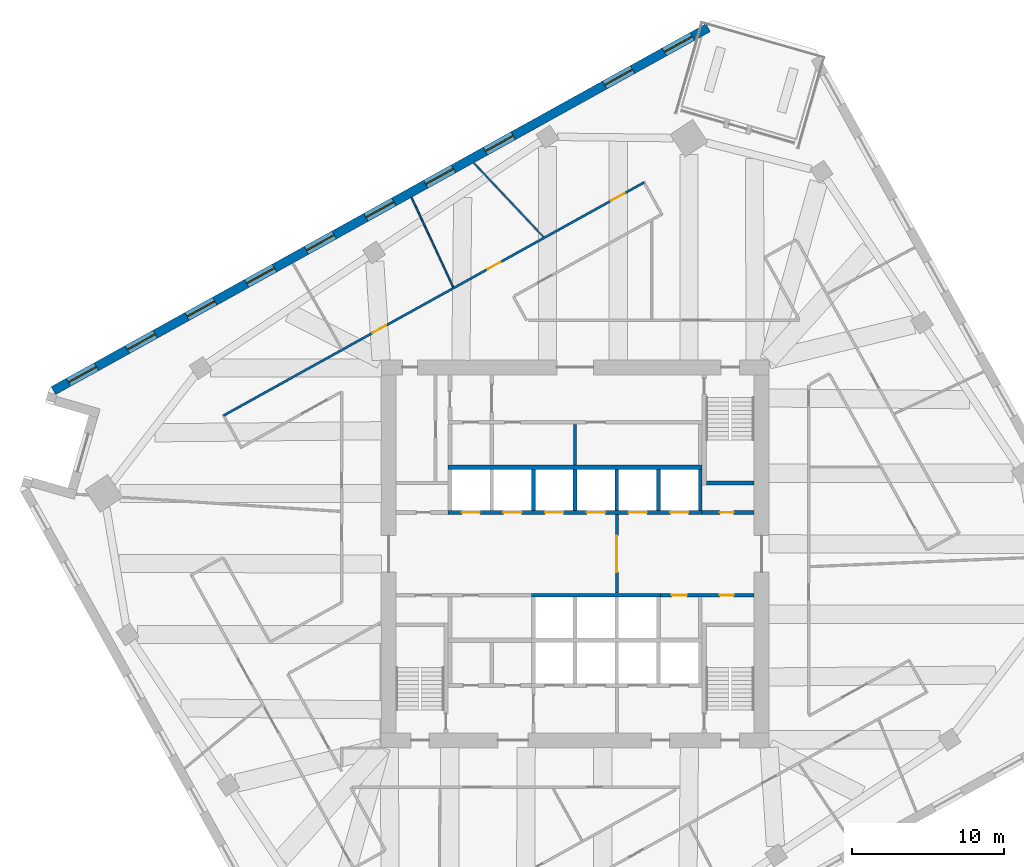
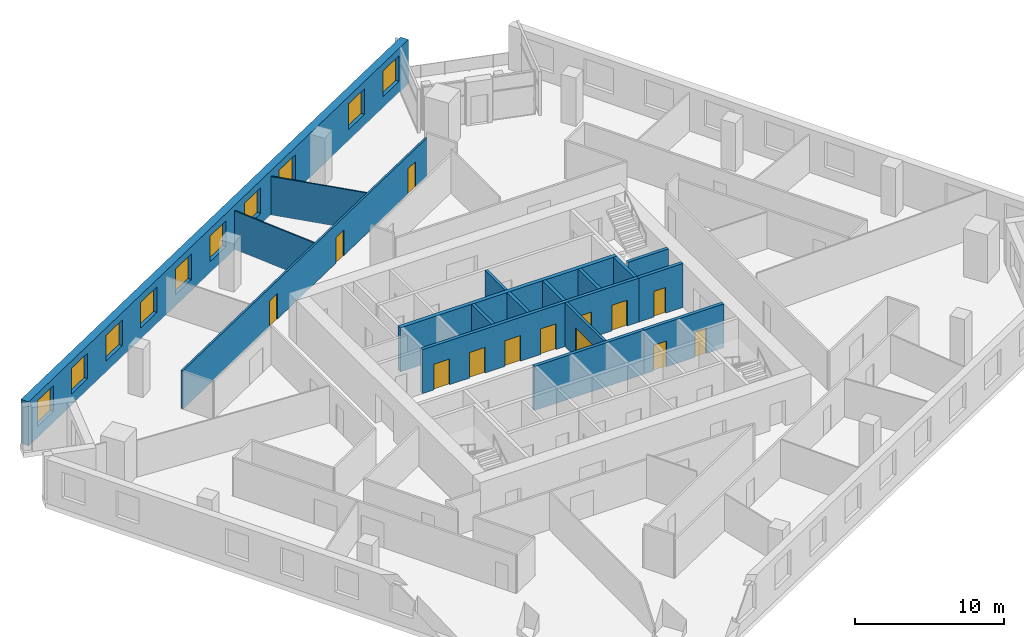
# One storey, part 8 of 12: 17 walls, 13 doors, 10 windows, 23 openings.
"""IFC4 building model written with IfcOpenShell, lengths in metres."""

from ifc_helpers import new_model, si_unit, direction, frame, frame_2d, origin, place, context, subcontext, project, spatial, rectangle, extrude, material, layer, layer_set, type_object, element, fill, save


model = new_model("IFC4")

# Units and contexts
model_context = context("Model", 3, precision=1e-05, world=origin(), true_north=direction((0.0, 1.0)))
body_context = subcontext(model_context, "Body", "Model", "MODEL_VIEW")
ifc_project = project(units=[si_unit("LENGTHUNIT", "METRE"), si_unit("AREAUNIT", "SQUARE_METRE"), si_unit("VOLUMEUNIT", "CUBIC_METRE"), si_unit("PLANEANGLEUNIT", "RADIAN"), si_unit("MASSUNIT", "GRAM", prefix="KILO")], contexts=[model_context])

# Site, building, storey
site_placement = place(None, origin())
site = spatial("IfcSite", under=ifc_project, at=site_placement, CompositionType="ELEMENT")
building_placement = place(site_placement, origin())
building = spatial("IfcBuilding", under=site, at=building_placement, Name="Dilmun Exchange Tower", CompositionType="ELEMENT")
storey_placement = place(building_placement, frame((0.0, 0.0, 139.699951171875)))
storey = spatial("IfcBuildingStorey", under=building, at=storey_placement, Name="L32", CompositionType="ELEMENT", Elevation=139.699951171875)

# Wall, opening, door
ifc_material_1 = material(Name="Concrete C40/50", Category="concrete")
ifc_layer_1 = layer(ifc_material_1, 0.199951171875)
ifc_layer_set_1 = layer_set([ifc_layer_1], Name="Concrete C40/50")
wall_type_1 = type_object("IfcWallType", Name="Core partition wall 200", PredefinedType="PARTITIONING", material=ifc_layer_set_1)
wall_1_placement = place(storey_placement, frame((2.75, -2.594970703125, 0.0), z_axis=(0.0, 0.0, 1.0), x_axis=(0.0, 1.0, 0.0)))
wall_1 = element("IfcWall", 1, at=wall_1_placement, inside=storey, type_object=wall_type_1, Name="L32 core partition wall 11", PredefinedType="PARTITIONING", context=body_context, shape_type="SweptSolid", body=[
    extrude(rectangle(XDim=5.18994140625, YDim=0.199951171875, at=frame_2d((2.594970703125, 0.0))), origin(), (0.0, 0.0, 1.0), 3.60009765625),
])
opening_1_placement = place(wall_1_placement, frame((1.39501953125, 0.0, 0.0)))
opening_1 = element("IfcOpeningElement", 2, at=opening_1_placement, cuts=wall_1, Name="Opening CD1", PredefinedType="OPENING", context=body_context, shape_type="SweptSolid", body=[
    extrude(rectangle(XDim=2.39990234375, YDim=2.39990234375, at=frame_2d((1.199951171875, 1.199951171875))), frame((0.0, 0.10986328125, 0.0), z_axis=(0.0, -1.0, 0.0), x_axis=(1.0, 0.0, 0.0)), (0.0, 0.0, 1.0), 0.219970703125),
])
ifc_material_2 = material(Name="Fire-rated steel door set", Category="steel")
door_type_1 = type_object("IfcDoorType", Name="Core lobby door 2400x2400", OperationType="DOUBLE_DOOR_DOUBLE_SWING", PredefinedType="DOOR", material=ifc_material_2)
door_1_placement = place(opening_1_placement, origin())
door_1 = element("IfcDoor", 3, at=door_1_placement, inside=storey, type_object=door_type_1, Name="L32 door Lift lobby east", OperationType="SINGLE_SWING_LEFT", OverallHeight=2.39990234375, OverallWidth=2.39990234375, PredefinedType="DOOR", context=body_context, shape_type="SweptSolid", body=[
    extrude(rectangle(XDim=2.39990234375, YDim=2.39990234375, at=frame_2d((1.199951171875, 1.199951171875))), frame((0.0, 0.02490234375, 0.0), z_axis=(0.0, -1.0, 0.0), x_axis=(1.0, 0.0, 0.0)), (0.0, 0.0, 1.0), 0.050048828125),
])
fill(opening_1, door_1)

# Wall
wall_2_placement = place(storey_placement, frame((0.0, 5.85498046875, 0.0), z_axis=(0.0, 0.0, 1.0), x_axis=(0.0, 1.0, 0.0)))
element("IfcWall", 4, at=wall_2_placement, inside=storey, type_object=wall_type_1, Name="L32 core partition wall 18", PredefinedType="PARTITIONING", context=body_context, shape_type="SweptSolid", body=[
    extrude(rectangle(XDim=2.68994140625, YDim=0.199951171875, at=frame_2d((1.344970703125, 0.0))), origin(), (0.0, 0.0, 1.0), 3.60009765625),
])

# Wall, openings, doors
ifc_layer_2 = layer(ifc_material_1, 0.25)
ifc_layer_set_2 = layer_set([ifc_layer_2], Name="Concrete C40/50")
wall_type_2 = type_object("IfcWallType", Name="Core partition wall 250", PredefinedType="PARTITIONING", material=ifc_layer_set_2)
wall_3_placement = place(storey_placement, frame((5.6298828125, -2.72509765625, 0.0), z_axis=(0.0, 0.0, 1.0), x_axis=(1.0, 0.0, 0.0)))
wall_3 = element("IfcWall", 5, at=wall_3_placement, inside=storey, type_object=wall_type_2, Name="L32 core partition wall 10", PredefinedType="PARTITIONING", context=body_context, shape_type="SweptSolid", body=[
    extrude(rectangle(XDim=6.1650390625, YDim=0.25, at=frame_2d((3.08251953125, 0.0))), origin(), (0.0, 0.0, 1.0), 3.60009765625),
])
opening_2_placement = place(wall_3_placement, frame((0.7451171875, 0.0, 0.0)))
opening_2 = element("IfcOpeningElement", 6, at=opening_2_placement, cuts=wall_3, Name="Opening CD4", PredefinedType="OPENING", context=body_context, shape_type="SweptSolid", body=[
    extrude(rectangle(XDim=1.0, YDim=2.10009765625, at=frame_2d((0.5, 1.050048828125))), frame((0.0, 0.135009765625, 0.0), z_axis=(0.0, -1.0, 0.0), x_axis=(1.0, 0.0, 0.0)), (0.0, 0.0, 1.0), 0.27001953125),
])
opening_3_placement = place(wall_3_placement, frame((3.919921875, 0.0, 0.0)))
opening_3 = element("IfcOpeningElement", 7, at=opening_3_placement, cuts=wall_3, Name="Opening CD6", PredefinedType="OPENING", context=body_context, shape_type="SweptSolid", body=[
    extrude(rectangle(XDim=0.89990234375, YDim=2.10009765625, at=frame_2d((0.449951171875, 1.050048828125))), frame((0.0, 0.135009765625, 0.0), z_axis=(0.0, -1.0, 0.0), x_axis=(1.0, 0.0, 0.0)), (0.0, 0.0, 1.0), 0.27001953125),
])
door_type_2 = type_object("IfcDoorType", Name="Core room door 1000x2100", OperationType="SINGLE_SWING_LEFT", PredefinedType="DOOR", material=ifc_material_2)
door_2_placement = place(opening_2_placement, origin())
door_2 = element("IfcDoor", 8, at=door_2_placement, inside=storey, type_object=door_type_2, Name="L32 door Cleaners' store", OperationType="SINGLE_SWING_LEFT", OverallHeight=2.10009765625, OverallWidth=1.0, PredefinedType="DOOR", context=body_context, shape_type="SweptSolid", body=[
    extrude(rectangle(XDim=1.0, YDim=2.10009765625, at=frame_2d((0.5, 1.050048828125))), frame((0.0, 0.02490234375, 0.0), z_axis=(0.0, -1.0, 0.0), x_axis=(1.0, 0.0, 0.0)), (0.0, 0.0, 1.0), 0.050048828125),
])
fill(opening_2, door_2)
door_type_3 = type_object("IfcDoorType", Name="Core room door 900x2100", OperationType="SINGLE_SWING_LEFT", PredefinedType="DOOR", material=ifc_material_2)
door_3_placement = place(opening_3_placement, origin())
door_3 = element("IfcDoor", 9, at=door_3_placement, inside=storey, type_object=door_type_3, Name="L32 door Comms riser", OperationType="SINGLE_SWING_LEFT", OverallHeight=2.10009765625, OverallWidth=0.89990234375, PredefinedType="DOOR", context=body_context, shape_type="SweptSolid", body=[
    extrude(rectangle(XDim=0.89990234375, YDim=2.10009765625, at=frame_2d((0.449951171875, 1.050048828125))), frame((0.0, 0.02490234375, 0.0), z_axis=(0.0, -1.0, 0.0), x_axis=(1.0, 0.0, 0.0)), (0.0, 0.0, 1.0), 0.050048828125),
])
fill(opening_3, door_3)

# Wall, opening, door
wall_4_placement = place(storey_placement, frame((8.3798828125, 2.72509765625, 0.0), z_axis=(0.0, 0.0, 1.0), x_axis=(1.0, 0.0, 0.0)))
wall_4 = element("IfcWall", 10, at=wall_4_placement, inside=storey, type_object=wall_type_2, Name="L32 core partition wall 13", PredefinedType="PARTITIONING", context=body_context, shape_type="SweptSolid", body=[
    extrude(rectangle(XDim=3.4150390625, YDim=0.25, at=frame_2d((1.70751953125, 0.0))), origin(), (0.0, 0.0, 1.0), 3.60009765625),
])
opening_4_placement = place(wall_4_placement, frame((1.169921875, 0.0, 0.0)))
opening_4 = element("IfcOpeningElement", 11, at=opening_4_placement, cuts=wall_4, Name="Opening CD6", PredefinedType="OPENING", context=body_context, shape_type="SweptSolid", body=[
    extrude(rectangle(XDim=0.89990234375, YDim=2.10009765625, at=frame_2d((0.449951171875, 1.050048828125))), frame((0.0, 0.135009765625, 0.0), z_axis=(0.0, -1.0, 0.0), x_axis=(1.0, 0.0, 0.0)), (0.0, 0.0, 1.0), 0.27001953125),
])
door_4_placement = place(opening_4_placement, origin())
door_4 = element("IfcDoor", 12, at=door_4_placement, inside=storey, type_object=door_type_3, Name="L32 door Electrical riser", OperationType="SINGLE_SWING_LEFT", OverallHeight=2.10009765625, OverallWidth=0.89990234375, PredefinedType="DOOR", context=body_context, shape_type="SweptSolid", body=[
    extrude(rectangle(XDim=0.89990234375, YDim=2.10009765625, at=frame_2d((0.449951171875, 1.050048828125))), frame((0.0, 0.02490234375, 0.0), z_axis=(0.0, -1.0, 0.0), x_axis=(1.0, 0.0, 0.0)), (0.0, 0.0, 1.0), 0.050048828125),
])
fill(opening_4, door_4)

# Wall, openings, doors
ifc_material_3 = material(Name="Corridor wall 150")
ifc_layer_3 = layer(ifc_material_3, 0.14990234375)
ifc_layer_set_3 = layer_set([ifc_layer_3], Name="Corridor wall 150")
wall_type_3 = type_object("IfcWallType", Name="Corridor wall 150", PredefinedType="PARTITIONING", material=ifc_layer_set_3)
wall_5_placement = place(storey_placement, frame((-23.18701171875, 9.123046875, 0.0), z_axis=(0.0, 0.0, 1.0), x_axis=(0.874618419846, 0.484811942578, 0.0)))
wall_5 = element("IfcWall", 13, at=wall_5_placement, inside=storey, type_object=wall_type_3, Name="Corridor wall", PredefinedType="PARTITIONING", context=body_context, shape_type="SweptSolid", body=[
    extrude(rectangle(XDim=31.71337890625, YDim=0.14990234375, at=frame_2d((15.856689453125, 0.0))), origin(), (0.0, 0.0, 1.0), 3.150146484375),
])
opening_5_placement = place(wall_5_placement, frame((11.25244140625, 0.0, 0.0)))
opening_5 = element("IfcOpeningElement", 14, at=opening_5_placement, cuts=wall_5, Name="Opening TF31-D08", PredefinedType="OPENING", context=body_context, shape_type="SweptSolid", body=[
    extrude(rectangle(XDim=1.0, YDim=2.10009765625, at=frame_2d((0.5, 1.050048828125))), frame((0.0, 0.0849609375, 0.0), z_axis=(0.0, -1.0, 0.0), x_axis=(1.0, 0.0, 0.0)), (0.0, 0.0, 1.0), 0.169921875),
])
opening_6_placement = place(wall_5_placement, frame((19.8955078125, 0.0, 0.0)))
opening_6 = element("IfcOpeningElement", 15, at=opening_6_placement, cuts=wall_5, Name="Opening TF31-D09", PredefinedType="OPENING", context=body_context, shape_type="SweptSolid", body=[
    extrude(rectangle(XDim=1.0, YDim=2.10009765625, at=frame_2d((0.5, 1.050048828125))), frame((0.0, 0.0849609375, 0.0), z_axis=(0.0, -1.0, 0.0), x_axis=(1.0, 0.0, 0.0)), (0.0, 0.0, 1.0), 0.169921875),
])
opening_7_placement = place(wall_5_placement, frame((29.222900390625, 0.0, 0.0)))
opening_7 = element("IfcOpeningElement", 16, at=opening_7_placement, cuts=wall_5, Name="Opening TF31-D16", PredefinedType="OPENING", context=body_context, shape_type="SweptSolid", body=[
    extrude(rectangle(XDim=1.0, YDim=2.10009765625, at=frame_2d((0.5, 1.050048828125))), frame((0.0, 0.0849609375, 0.0), z_axis=(0.0, -1.0, 0.0), x_axis=(1.0, 0.0, 0.0)), (0.0, 0.0, 1.0), 0.169921875),
])
ifc_material_4 = material(Name="Fire door 1000 x 2100")
door_type_4 = type_object("IfcDoorType", Name="Fire door 1000 x 2100", OperationType="NOTDEFINED", PredefinedType="DOOR", material=ifc_material_4)
door_5_placement = place(opening_5_placement, origin())
door_5 = element("IfcDoor", 17, at=door_5_placement, inside=storey, type_object=door_type_4, Name="Door TF31-D08", OperationType="SINGLE_SWING_RIGHT", OverallHeight=2.10009765625, OverallWidth=1.0, PredefinedType="DOOR", context=body_context, shape_type="SweptSolid", body=[
    extrude(rectangle(XDim=1.0, YDim=2.10009765625, at=frame_2d((0.5, 1.050048828125))), frame((0.0, 0.02490234375, 0.0), z_axis=(0.0, -1.0, 0.0), x_axis=(1.0, 0.0, 0.0)), (0.0, 0.0, 1.0), 0.050048828125),
])
fill(opening_5, door_5)
door_6_placement = place(opening_6_placement, origin())
door_6 = element("IfcDoor", 18, at=door_6_placement, inside=storey, type_object=door_type_4, Name="Door TF31-D09", OperationType="SINGLE_SWING_LEFT", OverallHeight=2.10009765625, OverallWidth=1.0, PredefinedType="DOOR", context=body_context, shape_type="SweptSolid", body=[
    extrude(rectangle(XDim=1.0, YDim=2.10009765625, at=frame_2d((0.5, 1.050048828125))), frame((0.0, 0.02490234375, 0.0), z_axis=(0.0, -1.0, 0.0), x_axis=(1.0, 0.0, 0.0)), (0.0, 0.0, 1.0), 0.050048828125),
])
fill(opening_6, door_6)
door_7_placement = place(opening_7_placement, origin())
door_7 = element("IfcDoor", 19, at=door_7_placement, inside=storey, type_object=door_type_4, Name="Door TF31-D16", OperationType="SINGLE_SWING_LEFT", OverallHeight=2.10009765625, OverallWidth=1.0, PredefinedType="DOOR", context=body_context, shape_type="SweptSolid", body=[
    extrude(rectangle(XDim=1.0, YDim=2.10009765625, at=frame_2d((0.5, 1.050048828125))), frame((0.0, 0.02490234375, 0.0), z_axis=(0.0, -1.0, 0.0), x_axis=(1.0, 0.0, 0.0)), (0.0, 0.0, 1.0), 0.050048828125),
])
fill(opening_7, door_7)

# Wall
ifc_layer_4 = layer(ifc_material_1, 0.300048828125)
ifc_layer_set_4 = layer_set([ifc_layer_4], Name="Concrete C40/50")
wall_type_4 = type_object("IfcWallType", Name="Lift shaft shared wall 300", PredefinedType="SOLIDWALL", material=ifc_layer_set_4)
wall_6_placement = place(storey_placement, frame((-8.375, 5.699951171875, 0.0), z_axis=(0.0, 0.0, 1.0), x_axis=(1.0, 0.0, 0.0)))
element("IfcWall", 20, at=wall_6_placement, inside=storey, type_object=wall_type_4, Name="L32 lift shaft rear wall N", PredefinedType="SOLIDWALL", context=body_context, shape_type="SweptSolid", body=[
    extrude(rectangle(XDim=16.75, YDim=0.300048828125, at=frame_2d((8.375, 0.0))), origin(), (0.0, 0.0, 1.0), 3.60009765625),
])

# Wall, openings, doors
ifc_layer_5 = layer(ifc_material_1, 0.25)
ifc_layer_set_5 = layer_set([ifc_layer_5], Name="Concrete C40/50")
wall_type_5 = type_object("IfcWallType", Name="Lift shaft wall 250", PredefinedType="SOLIDWALL", material=ifc_layer_set_5)
wall_7_placement = place(storey_placement, frame((-8.375, 2.72509765625, 0.0), z_axis=(0.0, 0.0, 1.0), x_axis=(1.0, 0.0, 0.0)))
wall_7 = element("IfcWall", 21, at=wall_7_placement, inside=storey, type_object=wall_type_5, Name="L32 lift shaft front wall N1", PredefinedType="SOLIDWALL", context=body_context, shape_type="SweptSolid", body=[
    extrude(rectangle(XDim=16.75, YDim=0.25, at=frame_2d((8.375, 0.0))), origin(), (0.0, 0.0, 1.0), 3.60009765625),
])
opening_8_placement = place(wall_7_placement, frame((0.89990234375, 0.0, 0.0)))
opening_8 = element("IfcOpeningElement", 22, at=opening_8_placement, cuts=wall_7, Name="Opening LD", PredefinedType="OPENING", context=body_context, shape_type="SweptSolid", body=[
    extrude(rectangle(XDim=1.199951171875, YDim=2.10009765625, at=frame_2d((0.60009765625, 1.050048828125))), frame((0.0, 0.135009765625, 0.0), z_axis=(0.0, -1.0, 0.0), x_axis=(1.0, 0.0, 0.0)), (0.0, 0.0, 1.0), 0.27001953125),
])
opening_9_placement = place(wall_7_placement, frame((3.64990234375, 0.0, 0.0)))
opening_9 = element("IfcOpeningElement", 23, at=opening_9_placement, cuts=wall_7, Name="Opening LD", PredefinedType="OPENING", context=body_context, shape_type="SweptSolid", body=[
    extrude(rectangle(XDim=1.199951171875, YDim=2.10009765625, at=frame_2d((0.60009765625, 1.050048828125))), frame((0.0, 0.135009765625, 0.0), z_axis=(0.0, -1.0, 0.0), x_axis=(1.0, 0.0, 0.0)), (0.0, 0.0, 1.0), 0.27001953125),
])
opening_10_placement = place(wall_7_placement, frame((6.39990234375, 0.0, 0.0)))
opening_10 = element("IfcOpeningElement", 24, at=opening_10_placement, cuts=wall_7, Name="Opening LD", PredefinedType="OPENING", context=body_context, shape_type="SweptSolid", body=[
    extrude(rectangle(XDim=1.199951171875, YDim=2.10009765625, at=frame_2d((0.60009765625, 1.050048828125))), frame((0.0, 0.135009765625, 0.0), z_axis=(0.0, -1.0, 0.0), x_axis=(1.0, 0.0, 0.0)), (0.0, 0.0, 1.0), 0.27001953125),
])
opening_11_placement = place(wall_7_placement, frame((9.14990234375, 0.0, 0.0)))
opening_11 = element("IfcOpeningElement", 25, at=opening_11_placement, cuts=wall_7, Name="Opening LD", PredefinedType="OPENING", context=body_context, shape_type="SweptSolid", body=[
    extrude(rectangle(XDim=1.199951171875, YDim=2.10009765625, at=frame_2d((0.60009765625, 1.050048828125))), frame((0.0, 0.135009765625, 0.0), z_axis=(0.0, -1.0, 0.0), x_axis=(1.0, 0.0, 0.0)), (0.0, 0.0, 1.0), 0.27001953125),
])
opening_12_placement = place(wall_7_placement, frame((11.89990234375, 0.0, 0.0)))
opening_12 = element("IfcOpeningElement", 26, at=opening_12_placement, cuts=wall_7, Name="Opening LD", PredefinedType="OPENING", context=body_context, shape_type="SweptSolid", body=[
    extrude(rectangle(XDim=1.199951171875, YDim=2.10009765625, at=frame_2d((0.60009765625, 1.050048828125))), frame((0.0, 0.135009765625, 0.0), z_axis=(0.0, -1.0, 0.0), x_axis=(1.0, 0.0, 0.0)), (0.0, 0.0, 1.0), 0.27001953125),
])
opening_13_placement = place(wall_7_placement, frame((14.64990234375, 0.0, 0.0)))
opening_13 = element("IfcOpeningElement", 27, at=opening_13_placement, cuts=wall_7, Name="Opening LD", PredefinedType="OPENING", context=body_context, shape_type="SweptSolid", body=[
    extrude(rectangle(XDim=1.199951171875, YDim=2.10009765625, at=frame_2d((0.60009765625, 1.050048828125))), frame((0.0, 0.135009765625, 0.0), z_axis=(0.0, -1.0, 0.0), x_axis=(1.0, 0.0, 0.0)), (0.0, 0.0, 1.0), 0.27001953125),
])
door_type_5 = type_object("IfcDoorType", Name="Lift landing door 1200x2100", OperationType="DOUBLE_DOOR_SLIDING", PredefinedType="DOOR", material=ifc_material_2)
door_8_placement = place(opening_8_placement, origin())
door_8 = element("IfcDoor", 28, at=door_8_placement, inside=storey, type_object=door_type_5, Name="L32 landing door MR1", OperationType="DOUBLE_DOOR_SLIDING", OverallHeight=2.10009765625, OverallWidth=1.199951171875, PredefinedType="DOOR", context=body_context, shape_type="SweptSolid", body=[
    extrude(rectangle(XDim=1.199951171875, YDim=2.10009765625, at=frame_2d((0.60009765625, 1.050048828125))), frame((0.0, 0.02490234375, 0.0), z_axis=(0.0, -1.0, 0.0), x_axis=(1.0, 0.0, 0.0)), (0.0, 0.0, 1.0), 0.050048828125),
])
fill(opening_8, door_8)
door_9_placement = place(opening_9_placement, origin())
door_9 = element("IfcDoor", 29, at=door_9_placement, inside=storey, type_object=door_type_5, Name="L32 landing door MR2", OperationType="DOUBLE_DOOR_SLIDING", OverallHeight=2.10009765625, OverallWidth=1.199951171875, PredefinedType="DOOR", context=body_context, shape_type="SweptSolid", body=[
    extrude(rectangle(XDim=1.199951171875, YDim=2.10009765625, at=frame_2d((0.60009765625, 1.050048828125))), frame((0.0, 0.02490234375, 0.0), z_axis=(0.0, -1.0, 0.0), x_axis=(1.0, 0.0, 0.0)), (0.0, 0.0, 1.0), 0.050048828125),
])
fill(opening_9, door_9)
door_10_placement = place(opening_10_placement, origin())
door_10 = element("IfcDoor", 30, at=door_10_placement, inside=storey, type_object=door_type_5, Name="L32 landing door MR3", OperationType="DOUBLE_DOOR_SLIDING", OverallHeight=2.10009765625, OverallWidth=1.199951171875, PredefinedType="DOOR", context=body_context, shape_type="SweptSolid", body=[
    extrude(rectangle(XDim=1.199951171875, YDim=2.10009765625, at=frame_2d((0.60009765625, 1.050048828125))), frame((0.0, 0.02490234375, 0.0), z_axis=(0.0, -1.0, 0.0), x_axis=(1.0, 0.0, 0.0)), (0.0, 0.0, 1.0), 0.050048828125),
])
fill(opening_10, door_10)
door_11_placement = place(opening_11_placement, origin())
door_11 = element("IfcDoor", 31, at=door_11_placement, inside=storey, type_object=door_type_5, Name="L32 landing door MR4", OperationType="DOUBLE_DOOR_SLIDING", OverallHeight=2.10009765625, OverallWidth=1.199951171875, PredefinedType="DOOR", context=body_context, shape_type="SweptSolid", body=[
    extrude(rectangle(XDim=1.199951171875, YDim=2.10009765625, at=frame_2d((0.60009765625, 1.050048828125))), frame((0.0, 0.02490234375, 0.0), z_axis=(0.0, -1.0, 0.0), x_axis=(1.0, 0.0, 0.0)), (0.0, 0.0, 1.0), 0.050048828125),
])
fill(opening_11, door_11)
door_12_placement = place(opening_12_placement, origin())
door_12 = element("IfcDoor", 32, at=door_12_placement, inside=storey, type_object=door_type_5, Name="L32 landing door MR5", OperationType="DOUBLE_DOOR_SLIDING", OverallHeight=2.10009765625, OverallWidth=1.199951171875, PredefinedType="DOOR", context=body_context, shape_type="SweptSolid", body=[
    extrude(rectangle(XDim=1.199951171875, YDim=2.10009765625, at=frame_2d((0.60009765625, 1.050048828125))), frame((0.0, 0.02490234375, 0.0), z_axis=(0.0, -1.0, 0.0), x_axis=(1.0, 0.0, 0.0)), (0.0, 0.0, 1.0), 0.050048828125),
])
fill(opening_12, door_12)
door_13_placement = place(opening_13_placement, origin())
door_13 = element("IfcDoor", 33, at=door_13_placement, inside=storey, type_object=door_type_5, Name="L32 landing door MR6", OperationType="DOUBLE_DOOR_SLIDING", OverallHeight=2.10009765625, OverallWidth=1.199951171875, PredefinedType="DOOR", context=body_context, shape_type="SweptSolid", body=[
    extrude(rectangle(XDim=1.199951171875, YDim=2.10009765625, at=frame_2d((0.60009765625, 1.050048828125))), frame((0.0, 0.02490234375, 0.0), z_axis=(0.0, -1.0, 0.0), x_axis=(1.0, 0.0, 0.0)), (0.0, 0.0, 1.0), 0.050048828125),
])
fill(opening_13, door_13)

# Walls
for number, where, z_axis, x_axis, name in (
    (34, (-2.75, 2.85009765625, 0.0), (0.0, 0.0, 1.0), (0.0, 1.0, 0.0), "L32 lift shaft divider N12"),
    (35, (0.0, 2.85009765625, 0.0), (0.0, 0.0, 1.0), (0.0, 1.0, 0.0), "L32 lift shaft divider N13"),
    (36, (2.75, 2.85009765625, 0.0), (0.0, 0.0, 1.0), (0.0, 1.0, 0.0), "L32 lift shaft divider N14"),
    (37, (5.5, 2.85009765625, 0.0), (0.0, 0.0, 1.0), (0.0, 1.0, 0.0), "L32 lift shaft divider N15"),
    (38, (8.25, 2.85009765625, 0.0), (0.0, 0.0, 1.0), (0.0, 1.0, 0.0), "L32 lift shaft divider N16"),
):
    element("IfcWall", number, at=place(storey_placement, frame(where, z_axis=z_axis, x_axis=x_axis)), inside=storey, type_object=wall_type_5, Name=name, PredefinedType="SOLIDWALL", context=body_context, shape_type="SweptSolid", body=[
        extrude(rectangle(XDim=2.699951171875, YDim=0.25, at=frame_2d((1.35009765625, 0.0))), origin(), (0.0, 0.0, 1.0), 3.60009765625),
    ])
wall_8_placement = place(storey_placement, frame((-2.875, -2.72509765625, 0.0), z_axis=(0.0, 0.0, 1.0), x_axis=(1.0, 0.0, 0.0)))
element("IfcWall", 39, at=wall_8_placement, inside=storey, type_object=wall_type_5, Name="L32 lift shaft front wall S1", PredefinedType="SOLIDWALL", context=body_context, shape_type="SweptSolid", body=[
    extrude(rectangle(XDim=8.5, YDim=0.25, at=frame_2d((4.25, 0.0))), origin(), (0.0, 0.0, 1.0), 3.60009765625),
])
ifc_material_5 = material(Name="Partition 100")
ifc_layer_6 = layer(ifc_material_5, 0.10009765625)
ifc_layer_set_6 = layer_set([ifc_layer_6], Name="Partition 100")
wall_type_6 = type_object("IfcWallType", Name="Partition 100", PredefinedType="PARTITIONING", material=ifc_layer_set_6)
wall_9_placement = place(storey_placement, frame((-10.794677734375, 23.5126953125, 0.0), z_axis=(0.0, 0.0, 1.0), x_axis=(0.42134027537, -0.906902625617, 0.0)))
element("IfcWall", 40, at=wall_9_placement, inside=storey, type_object=wall_type_6, Name="Partition", PredefinedType="PARTITIONING", context=body_context, shape_type="SweptSolid", body=[
    extrude(rectangle(XDim=6.515869140625, YDim=0.10009765625, at=frame_2d((3.2578125, 0.0))), origin(), (0.0, 0.0, 1.0), 3.150146484375),
])
wall_10_placement = place(storey_placement, frame((-6.690673828125, 25.78759765625, 0.0), z_axis=(0.0, 0.0, 1.0), x_axis=(0.685723912774, -0.727861741988, 0.0)))
element("IfcWall", 41, at=wall_10_placement, inside=storey, type_object=wall_type_6, Name="Partition", PredefinedType="PARTITIONING", context=body_context, shape_type="SweptSolid", body=[
    extrude(rectangle(XDim=6.69775390625, YDim=0.10009765625, at=frame_2d((3.348876953125, 0.0))), origin(), (0.0, 0.0, 1.0), 3.150146484375),
])

# Wall, openings, windows
ifc_material_6 = material(Name="Precast concrete C50/60", Category="concrete")
ifc_layer_7 = layer(ifc_material_6, 0.60009765625)
ifc_layer_set_7 = layer_set([ifc_layer_7], Name="Precast concrete C50/60")
wall_type_7 = type_object("IfcWallType", Name="Precast stone-clad wall 600", PredefinedType="STANDARD", material=ifc_layer_set_7)
wall_11_placement = place(storey_placement, frame((8.774658203125, 34.705322265625, 0.0), z_axis=(0.0, 0.0, 1.0), x_axis=(-0.874620778241, -0.484807687922, 0.0)))
wall_11 = element("IfcWall", 42, at=wall_11_placement, inside=storey, type_object=wall_type_7, Name="Facade wall L32-03", PredefinedType="STANDARD", context=body_context, shape_type="SweptSolid", body=[
    extrude(rectangle(XDim=49.375732421875, YDim=0.60009765625, at=frame_2d((24.68798828125, 0.0))), origin(), (0.0, 0.0, 1.0), 3.60009765625),
])
opening_14_placement = place(wall_11_placement, frame((1.199951171875, 0.0, 0.89990234375)))
opening_14 = element("IfcOpeningElement", 43, at=opening_14_placement, cuts=wall_11, Name="Opening W210-210", PredefinedType="OPENING", context=body_context, shape_type="SweptSolid", body=[
    extrude(rectangle(XDim=2.10009765625, YDim=2.10009765625, at=frame_2d((1.050048828125, 1.050048828125))), frame((0.0, 0.31005859375, 0.0), z_axis=(0.0, -1.0, 0.0), x_axis=(1.0, 0.0, 0.0)), (0.0, 0.0, 1.0), 0.6201171875),
])
opening_15_placement = place(wall_11_placement, frame((5.699951171875, 0.0, 0.89990234375)))
opening_15 = element("IfcOpeningElement", 44, at=opening_15_placement, cuts=wall_11, Name="Opening W210-210", PredefinedType="OPENING", context=body_context, shape_type="SweptSolid", body=[
    extrude(rectangle(XDim=2.10009765625, YDim=2.10009765625, at=frame_2d((1.050048828125, 1.050048828125))), frame((0.0, 0.31005859375, 0.0), z_axis=(0.0, -1.0, 0.0), x_axis=(1.0, 0.0, 0.0)), (0.0, 0.0, 1.0), 0.6201171875),
])
opening_16_placement = place(wall_11_placement, frame((14.699951171875, 0.0, 0.89990234375)))
opening_16 = element("IfcOpeningElement", 45, at=opening_16_placement, cuts=wall_11, Name="Opening W210-210", PredefinedType="OPENING", context=body_context, shape_type="SweptSolid", body=[
    extrude(rectangle(XDim=2.10009765625, YDim=2.10009765625, at=frame_2d((1.050048828125, 1.050048828125))), frame((0.0, 0.31005859375, 0.0), z_axis=(0.0, -1.0, 0.0), x_axis=(1.0, 0.0, 0.0)), (0.0, 0.0, 1.0), 0.6201171875),
])
opening_17_placement = place(wall_11_placement, frame((19.199951171875, 0.0, 0.89990234375)))
opening_17 = element("IfcOpeningElement", 46, at=opening_17_placement, cuts=wall_11, Name="Opening W210-210", PredefinedType="OPENING", context=body_context, shape_type="SweptSolid", body=[
    extrude(rectangle(XDim=2.10009765625, YDim=2.10009765625, at=frame_2d((1.050048828125, 1.050048828125))), frame((0.0, 0.31005859375, 0.0), z_axis=(0.0, -1.0, 0.0), x_axis=(1.0, 0.0, 0.0)), (0.0, 0.0, 1.0), 0.6201171875),
])
opening_18_placement = place(wall_11_placement, frame((23.699951171875, 0.0, 0.89990234375)))
opening_18 = element("IfcOpeningElement", 47, at=opening_18_placement, cuts=wall_11, Name="Opening W210-210", PredefinedType="OPENING", context=body_context, shape_type="SweptSolid", body=[
    extrude(rectangle(XDim=2.10009765625, YDim=2.10009765625, at=frame_2d((1.050048828125, 1.050048828125))), frame((0.0, 0.31005859375, 0.0), z_axis=(0.0, -1.0, 0.0), x_axis=(1.0, 0.0, 0.0)), (0.0, 0.0, 1.0), 0.6201171875),
])
opening_19_placement = place(wall_11_placement, frame((28.199951171875, 0.0, 0.89990234375)))
opening_19 = element("IfcOpeningElement", 48, at=opening_19_placement, cuts=wall_11, Name="Opening W210-210", PredefinedType="OPENING", context=body_context, shape_type="SweptSolid", body=[
    extrude(rectangle(XDim=2.10009765625, YDim=2.10009765625, at=frame_2d((1.050048828125, 1.050048828125))), frame((0.0, 0.31005859375, 0.0), z_axis=(0.0, -1.0, 0.0), x_axis=(1.0, 0.0, 0.0)), (0.0, 0.0, 1.0), 0.6201171875),
])
opening_20_placement = place(wall_11_placement, frame((32.699951171875, 0.0, 0.89990234375)))
opening_20 = element("IfcOpeningElement", 49, at=opening_20_placement, cuts=wall_11, Name="Opening W210-210", PredefinedType="OPENING", context=body_context, shape_type="SweptSolid", body=[
    extrude(rectangle(XDim=2.10009765625, YDim=2.10009765625, at=frame_2d((1.050048828125, 1.050048828125))), frame((0.0, 0.31005859375, 0.0), z_axis=(0.0, -1.0, 0.0), x_axis=(1.0, 0.0, 0.0)), (0.0, 0.0, 1.0), 0.6201171875),
])
opening_21_placement = place(wall_11_placement, frame((37.199951171875, 0.0, 0.89990234375)))
opening_21 = element("IfcOpeningElement", 50, at=opening_21_placement, cuts=wall_11, Name="Opening W210-210", PredefinedType="OPENING", context=body_context, shape_type="SweptSolid", body=[
    extrude(rectangle(XDim=2.10009765625, YDim=2.10009765625, at=frame_2d((1.050048828125, 1.050048828125))), frame((0.0, 0.31005859375, 0.0), z_axis=(0.0, -1.0, 0.0), x_axis=(1.0, 0.0, 0.0)), (0.0, 0.0, 1.0), 0.6201171875),
])
opening_22_placement = place(wall_11_placement, frame((41.699951171875, 0.0, 0.89990234375)))
opening_22 = element("IfcOpeningElement", 51, at=opening_22_placement, cuts=wall_11, Name="Opening W210-210", PredefinedType="OPENING", context=body_context, shape_type="SweptSolid", body=[
    extrude(rectangle(XDim=2.10009765625, YDim=2.10009765625, at=frame_2d((1.050048828125, 1.050048828125))), frame((0.0, 0.31005859375, 0.0), z_axis=(0.0, -1.0, 0.0), x_axis=(1.0, 0.0, 0.0)), (0.0, 0.0, 1.0), 0.6201171875),
])
opening_23_placement = place(wall_11_placement, frame((46.137939453125, 0.0, 0.89990234375)))
opening_23 = element("IfcOpeningElement", 52, at=opening_23_placement, cuts=wall_11, Name="Opening W210-210", PredefinedType="OPENING", context=body_context, shape_type="SweptSolid", body=[
    extrude(rectangle(XDim=2.10009765625, YDim=2.10009765625, at=frame_2d((1.050048828125, 1.050048828125))), frame((0.0, 0.31005859375, 0.0), z_axis=(0.0, -1.0, 0.0), x_axis=(1.0, 0.0, 0.0)), (0.0, 0.0, 1.0), 0.6201171875),
])
ifc_material_7 = material(Name="Clear low-emissivity glass in aluminium frame", Category="aluminium")
window_type = type_object("IfcWindowType", Name="Punched window 2100 x 2100", PartitioningType="DOUBLE_PANEL_VERTICAL", PredefinedType="WINDOW", material=ifc_material_7)
window_1_placement = place(opening_14_placement, origin())
window_1 = element("IfcWindow", 53, at=window_1_placement, inside=storey, type_object=window_type, Name="Window 4.1", OverallHeight=2.10009765625, OverallWidth=2.10009765625, PartitioningType="SINGLE_PANEL", PredefinedType="WINDOW", context=body_context, shape_type="SweptSolid", body=[
    extrude(rectangle(XDim=2.10009765625, YDim=2.10009765625, at=frame_2d((1.050048828125, 1.050048828125))), frame((0.0, 0.030029296875, 0.0), z_axis=(0.0, -1.0, 0.0), x_axis=(1.0, 0.0, 0.0)), (0.0, 0.0, 1.0), 0.06005859375),
])
fill(opening_14, window_1)
window_2_placement = place(opening_15_placement, origin())
window_2 = element("IfcWindow", 54, at=window_2_placement, inside=storey, type_object=window_type, Name="Window 4.2", OverallHeight=2.10009765625, OverallWidth=2.10009765625, PartitioningType="SINGLE_PANEL", PredefinedType="WINDOW", context=body_context, shape_type="SweptSolid", body=[
    extrude(rectangle(XDim=2.10009765625, YDim=2.10009765625, at=frame_2d((1.050048828125, 1.050048828125))), frame((0.0, 0.030029296875, 0.0), z_axis=(0.0, -1.0, 0.0), x_axis=(1.0, 0.0, 0.0)), (0.0, 0.0, 1.0), 0.06005859375),
])
fill(opening_15, window_2)
window_3_placement = place(opening_16_placement, origin())
window_3 = element("IfcWindow", 55, at=window_3_placement, inside=storey, type_object=window_type, Name="Window 4.4", OverallHeight=2.10009765625, OverallWidth=2.10009765625, PartitioningType="SINGLE_PANEL", PredefinedType="WINDOW", context=body_context, shape_type="SweptSolid", body=[
    extrude(rectangle(XDim=2.10009765625, YDim=2.10009765625, at=frame_2d((1.050048828125, 1.050048828125))), frame((0.0, 0.030029296875, 0.0), z_axis=(0.0, -1.0, 0.0), x_axis=(1.0, 0.0, 0.0)), (0.0, 0.0, 1.0), 0.06005859375),
])
fill(opening_16, window_3)
window_4_placement = place(opening_17_placement, origin())
window_4 = element("IfcWindow", 56, at=window_4_placement, inside=storey, type_object=window_type, Name="Window 4.5", OverallHeight=2.10009765625, OverallWidth=2.10009765625, PartitioningType="SINGLE_PANEL", PredefinedType="WINDOW", context=body_context, shape_type="SweptSolid", body=[
    extrude(rectangle(XDim=2.10009765625, YDim=2.10009765625, at=frame_2d((1.050048828125, 1.050048828125))), frame((0.0, 0.030029296875, 0.0), z_axis=(0.0, -1.0, 0.0), x_axis=(1.0, 0.0, 0.0)), (0.0, 0.0, 1.0), 0.06005859375),
])
fill(opening_17, window_4)
window_5_placement = place(opening_18_placement, origin())
window_5 = element("IfcWindow", 57, at=window_5_placement, inside=storey, type_object=window_type, Name="Window 4.6", OverallHeight=2.10009765625, OverallWidth=2.10009765625, PartitioningType="SINGLE_PANEL", PredefinedType="WINDOW", context=body_context, shape_type="SweptSolid", body=[
    extrude(rectangle(XDim=2.10009765625, YDim=2.10009765625, at=frame_2d((1.050048828125, 1.050048828125))), frame((0.0, 0.030029296875, 0.0), z_axis=(0.0, -1.0, 0.0), x_axis=(1.0, 0.0, 0.0)), (0.0, 0.0, 1.0), 0.06005859375),
])
fill(opening_18, window_5)
window_6_placement = place(opening_19_placement, origin())
window_6 = element("IfcWindow", 58, at=window_6_placement, inside=storey, type_object=window_type, Name="Window 4.7", OverallHeight=2.10009765625, OverallWidth=2.10009765625, PartitioningType="SINGLE_PANEL", PredefinedType="WINDOW", context=body_context, shape_type="SweptSolid", body=[
    extrude(rectangle(XDim=2.10009765625, YDim=2.10009765625, at=frame_2d((1.050048828125, 1.050048828125))), frame((0.0, 0.030029296875, 0.0), z_axis=(0.0, -1.0, 0.0), x_axis=(1.0, 0.0, 0.0)), (0.0, 0.0, 1.0), 0.06005859375),
])
fill(opening_19, window_6)
window_7_placement = place(opening_20_placement, origin())
window_7 = element("IfcWindow", 59, at=window_7_placement, inside=storey, type_object=window_type, Name="Window 4.8", OverallHeight=2.10009765625, OverallWidth=2.10009765625, PartitioningType="SINGLE_PANEL", PredefinedType="WINDOW", context=body_context, shape_type="SweptSolid", body=[
    extrude(rectangle(XDim=2.10009765625, YDim=2.10009765625, at=frame_2d((1.050048828125, 1.050048828125))), frame((0.0, 0.030029296875, 0.0), z_axis=(0.0, -1.0, 0.0), x_axis=(1.0, 0.0, 0.0)), (0.0, 0.0, 1.0), 0.06005859375),
])
fill(opening_20, window_7)
window_8_placement = place(opening_21_placement, origin())
window_8 = element("IfcWindow", 60, at=window_8_placement, inside=storey, type_object=window_type, Name="Window 4.9", OverallHeight=2.10009765625, OverallWidth=2.10009765625, PartitioningType="SINGLE_PANEL", PredefinedType="WINDOW", context=body_context, shape_type="SweptSolid", body=[
    extrude(rectangle(XDim=2.10009765625, YDim=2.10009765625, at=frame_2d((1.050048828125, 1.050048828125))), frame((0.0, 0.030029296875, 0.0), z_axis=(0.0, -1.0, 0.0), x_axis=(1.0, 0.0, 0.0)), (0.0, 0.0, 1.0), 0.06005859375),
])
fill(opening_21, window_8)
window_9_placement = place(opening_22_placement, origin())
window_9 = element("IfcWindow", 61, at=window_9_placement, inside=storey, type_object=window_type, Name="Window 4.10", OverallHeight=2.10009765625, OverallWidth=2.10009765625, PartitioningType="SINGLE_PANEL", PredefinedType="WINDOW", context=body_context, shape_type="SweptSolid", body=[
    extrude(rectangle(XDim=2.10009765625, YDim=2.10009765625, at=frame_2d((1.050048828125, 1.050048828125))), frame((0.0, 0.030029296875, 0.0), z_axis=(0.0, -1.0, 0.0), x_axis=(1.0, 0.0, 0.0)), (0.0, 0.0, 1.0), 0.06005859375),
])
fill(opening_22, window_9)
window_10_placement = place(opening_23_placement, origin())
window_10 = element("IfcWindow", 62, at=window_10_placement, inside=storey, type_object=window_type, Name="Window 4.11", OverallHeight=2.10009765625, OverallWidth=2.10009765625, PartitioningType="SINGLE_PANEL", PredefinedType="WINDOW", context=body_context, shape_type="SweptSolid", body=[
    extrude(rectangle(XDim=2.10009765625, YDim=2.10009765625, at=frame_2d((1.050048828125, 1.050048828125))), frame((0.0, 0.030029296875, 0.0), z_axis=(0.0, -1.0, 0.0), x_axis=(1.0, 0.0, 0.0)), (0.0, 0.0, 1.0), 0.06005859375),
])
fill(opening_23, window_10)

# Wall
ifc_layer_8 = layer(ifc_material_1, 0.25)
ifc_layer_set_8 = layer_set([ifc_layer_8], Name="Concrete C40/50")
wall_type_8 = type_object("IfcWallType", Name="Stair end wall 250", PredefinedType="SOLIDWALL", material=ifc_layer_set_8)
wall_12_placement = place(storey_placement, frame((8.64990234375, 4.675048828125, 0.0), z_axis=(0.0, 0.0, 1.0), x_axis=(1.0, 0.0, 0.0)))
element("IfcWall", 63, at=wall_12_placement, inside=storey, type_object=wall_type_8, Name="L32 ST1 far wall", PredefinedType="SOLIDWALL", context=body_context, shape_type="SweptSolid", body=[
    extrude(rectangle(XDim=3.150146484375, YDim=0.25, at=frame_2d((1.5751953125, 0.0))), origin(), (0.0, 0.0, 1.0), 3.60009765625),
])

save(model, "model.ifc")
